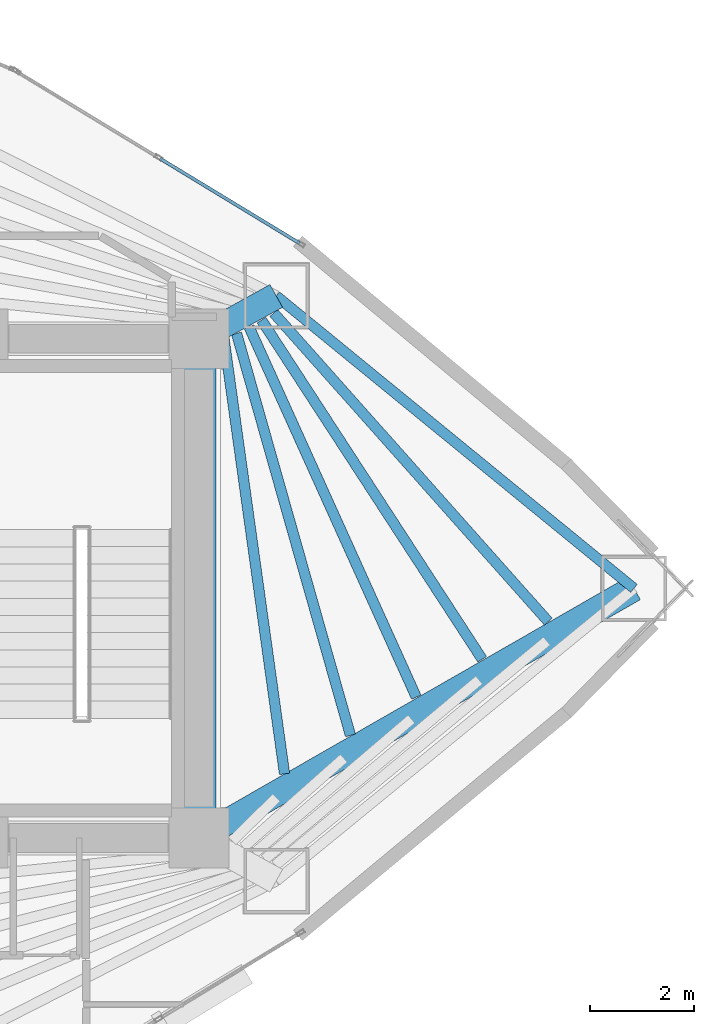
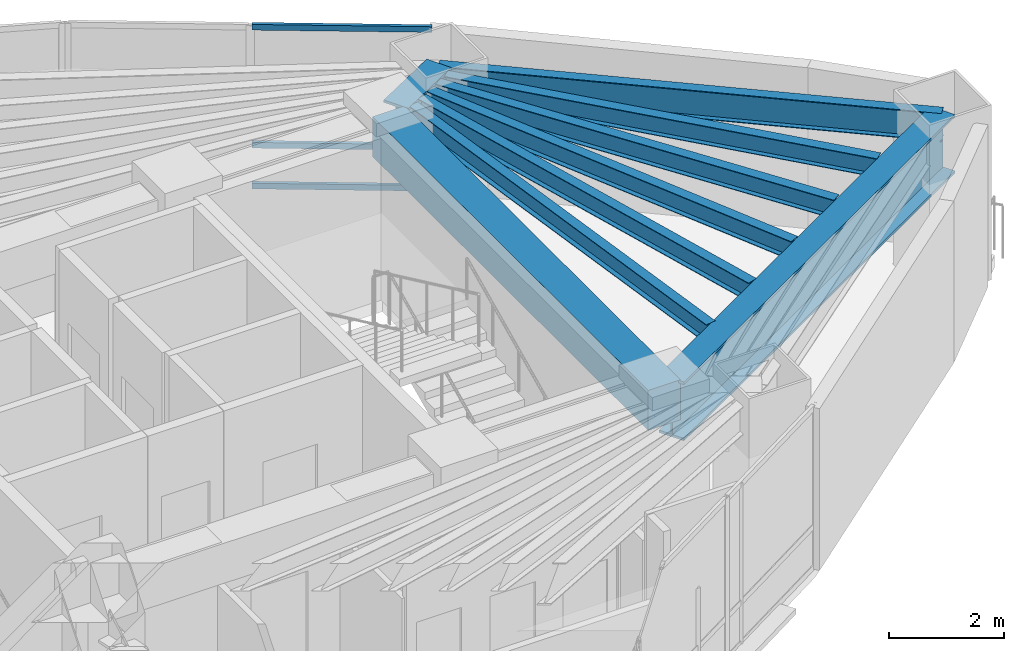
# One storey, part 10 of 17: 9 beams, 3 members, 1 element without a shape of its own.
"""IFC4 building model written with IfcOpenShell, lengths in metres."""

import ifcopenshell
import ifcopenshell.guid

model = None  # the IFC model being written
_history = None  # IfcOwnerHistory: only IFC2X3 demands one
_inside = {}  # id of a spatial element -> (the spatial element, [elements in it])
_under = {}  # id of a project, library or spatial element -> (it, [spatial elements below it])
_declared = {}  # id of a project -> (the project, [libraries it declares])
_typed = {}  # id of a type object -> (the type object, [elements of that type])
_made_of = {}  # id of a material, layer set ... -> (it, [elements and type objects made of it])


def new_model(schema):
    """Start an empty IFC model of exactly this schema.

    Asked for "IFC4X3", IfcOpenShell would pick the latest addendum, in which some entities
    have other attributes; the version numbers below select the first issue.
    IFC2X3 requires an IfcOwnerHistory on every rooted entity: one is made here for all.
    """
    global model, _history
    if schema == "IFC4X3":
        model = ifcopenshell.file(schema_version=(4, 3, 0, 0))
    else:
        model = ifcopenshell.file(schema=schema)
    _inside.clear()
    _under.clear()
    _declared.clear()
    _typed.clear()
    _made_of.clear()
    _history = None
    if model.schema == "IFC2X3":
        org = make("IfcOrganization", Name="unknown")
        user = make(
            "IfcPersonAndOrganization",
            ThePerson=make("IfcPerson", FamilyName="unknown"),
            TheOrganization=org,
        )
        app = make(
            "IfcApplication",
            ApplicationDeveloper=org,
            Version="unknown",
            ApplicationFullName="unknown",
            ApplicationIdentifier="unknown",
        )
        _history = make(
            "IfcOwnerHistory",
            OwningUser=user,
            OwningApplication=app,
            ChangeAction="ADDED",
            CreationDate=0,
        )
    return model


def make(cls, **values):
    """One entity of the class cls with the attributes given. An attribute that is None is left unset."""
    return model.create_entity(
        cls, **{name: value for name, value in values.items() if value is not None}
    )


def rooted(cls, **values):
    """An entity with a GlobalId (a new one), such as an element, a storey or a relation."""
    return make(cls, GlobalId=ifcopenshell.guid.new(), OwnerHistory=_history, **values)


def si_unit(unit_type, name, prefix=None):
    """IfcSIUnit, for example si_unit("LENGTHUNIT", "METRE", prefix="MILLI")."""
    return make("IfcSIUnit", UnitType=unit_type, Prefix=prefix, Name=name)


def assignment(units):
    """IfcUnitAssignment: the units of a project."""
    return None if units is None else make("IfcUnitAssignment", Units=units)


def point(xyz):
    """IfcCartesianPoint."""
    return None if xyz is None else make("IfcCartesianPoint", Coordinates=xyz)


def direction(xyz):
    """IfcDirection."""
    return None if xyz is None else make("IfcDirection", DirectionRatios=xyz)


def frame(location, z_axis=None, x_axis=None):
    """IfcAxis2Placement3D, a coordinate frame: its origin and axes. An axis left out is left unset."""
    return make(
        "IfcAxis2Placement3D",
        Location=point(location),
        Axis=direction(z_axis),
        RefDirection=direction(x_axis),
    )


def frame_2d(location, x_axis=None):
    """IfcAxis2Placement2D, a coordinate frame in the plane: its origin and x axis."""
    return make(
        "IfcAxis2Placement2D", Location=point(location), RefDirection=direction(x_axis)
    )


def origin():
    """The frame at (0, 0, 0) with its axes left unset."""
    return frame((0.0, 0.0, 0.0))


def origin_2d():
    """The frame at (0, 0) in the plane with its x axis left unset."""
    return frame_2d((0.0, 0.0))


def place(relative_to, where):
    """IfcLocalPlacement: puts the frame where relative to a parent placement (None: the world)."""
    return make(
        "IfcLocalPlacement", PlacementRelTo=relative_to, RelativePlacement=where
    )


def context(
    kind, dimensions, precision=None, world=None, true_north=None, identifier=None
):
    """IfcGeometricRepresentationContext, for example the 3D "Model" context."""
    return make(
        "IfcGeometricRepresentationContext",
        ContextIdentifier=identifier,
        ContextType=kind,
        CoordinateSpaceDimension=dimensions,
        Precision=precision,
        WorldCoordinateSystem=world,
        TrueNorth=true_north,
    )


def subcontext(parent, identifier, kind, view, scale=None):
    """IfcGeometricRepresentationSubContext, for example "Body" below "Model"."""
    return make(
        "IfcGeometricRepresentationSubContext",
        ContextIdentifier=identifier,
        ContextType=kind,
        ParentContext=parent,
        TargetScale=scale,
        TargetView=view,
    )


def project(units=None, contexts=None):
    """IfcProject with its units and contexts."""
    return rooted(
        "IfcProject",
        Name="project",
        RepresentationContexts=contexts,
        UnitsInContext=assignment(units),
    )


def spatial(cls, under=None, at=None, **own):
    """A site, building, storey or space (cls), placed at a placement, below another one or the project."""
    s = rooted(cls, ObjectPlacement=at, **own)
    if under is not None:
        _under.setdefault(under.id(), (under, []))[1].append(s)
    return s


def profile(cls, at=None, kind="AREA", **sizes):
    """A parametric profile (cls). Its sizes go by their IFC names, for example OverallWidth=200.0."""
    return make(cls, ProfileType=kind, Position=at, **sizes)


def rectangle(**sizes):
    """IfcRectangleProfileDef."""
    return profile("IfcRectangleProfileDef", **sizes)


def hollow_rectangle(**sizes):
    """IfcRectangleHollowProfileDef."""
    return profile("IfcRectangleHollowProfileDef", **sizes)


def i_section(**sizes):
    """IfcIShapeProfileDef."""
    return profile("IfcIShapeProfileDef", **sizes)


def extrude(swept, where, along, depth):
    """IfcExtrudedAreaSolid: the profile swept, set in the frame where, extruded along a direction by depth."""
    return make(
        "IfcExtrudedAreaSolid",
        SweptArea=swept,
        Position=where,
        ExtrudedDirection=direction(along),
        Depth=depth,
    )


def shape(context_of_items, identifier, shape_type, items):
    """IfcShapeRepresentation: the items that make up one representation, for example the "Body"."""
    return make(
        "IfcShapeRepresentation",
        ContextOfItems=context_of_items,
        RepresentationIdentifier=identifier,
        RepresentationType=shape_type,
        Items=items,
    )


def material(Name=None, Category=None):
    """IfcMaterial."""
    return make("IfcMaterial", Name=Name, Category=Category)


def layer(
    of_material, thickness, ventilated=None, Name=None, Category=None, Priority=None
):
    """IfcMaterialLayer: one layer of a wall or slab, of a material (None: an air gap)."""
    return make(
        "IfcMaterialLayer",
        Material=of_material,
        LayerThickness=thickness,
        IsVentilated=ventilated,
        Name=Name,
        Category=Category,
        Priority=Priority,
    )


def layer_set(layers, Name=None):
    """IfcMaterialLayerSet."""
    return make("IfcMaterialLayerSet", MaterialLayers=layers, LayerSetName=Name)


def material_profile(
    of_material, cross_section, Name=None, Category=None, Priority=None
):
    """IfcMaterialProfile: a cross section and its material."""
    return make(
        "IfcMaterialProfile",
        Name=Name,
        Material=of_material,
        Profile=cross_section,
        Priority=Priority,
        Category=Category,
    )


def profile_set(profiles, Name=None, composite=None):
    """IfcMaterialProfileSet."""
    return make(
        "IfcMaterialProfileSet",
        Name=Name,
        MaterialProfiles=profiles,
        CompositeProfile=composite,
    )


def made_of(thing, what):
    """Note that an element or type object is made of a material, layer set ...; save() writes the relation."""
    if what is not None:
        _made_of.setdefault(what.id(), (what, []))[1].append(thing)
    return thing


def type_object(cls, material=None, **own):
    """A type object (cls), such as IfcWallType, which elements share."""
    return made_of(rooted(cls, **own), material)


def element(
    cls,
    number,
    at=None,
    inside=None,
    cuts=None,
    type_object=None,
    material=None,
    context=None,
    identifier="Body",
    shape_type=None,
    held_by="IfcProductDefinitionShape",
    body=None,
    shapes=None,
    **own,
):
    """One element of the class cls, such as IfcWall. Its Tag is "e" and its number.

    at: its placement. inside: the storey or other place that contains it. cuts: it is an
    opening in that element (IfcRelVoidsElement). A single representation is given by context,
    identifier, shape_type and body (its items); several are given by shapes. held_by: the class
    of the entity that holds the representations. save() writes the other relations.
    """
    e = rooted(cls, Tag="e%d" % number, ObjectPlacement=at, **own)
    if body is not None:
        shapes = [shape(context, identifier, shape_type, body)]
    if shapes is not None:
        e.Representation = make(held_by, Representations=shapes)
    if inside is not None:
        _inside.setdefault(inside.id(), (inside, []))[1].append(e)
    if cuts is not None:
        rooted(
            "IfcRelVoidsElement", RelatingBuildingElement=cuts, RelatedOpeningElement=e
        )
    if type_object is not None:
        _typed.setdefault(type_object.id(), (type_object, []))[1].append(e)
    return made_of(e, material)


def aggregate(whole, parts):
    """IfcRelAggregates: a whole, such as a stair, and the parts it consists of."""
    return rooted("IfcRelAggregates", RelatingObject=whole, RelatedObjects=parts)


def save(model, path):
    """Write the relations noted so far, then the file.

    IfcRelAggregates (storeys below a building ...), IfcRelContainedInSpatialStructure (elements
    in a storey), IfcRelDefinesByType, IfcRelAssociatesMaterial and IfcRelDeclares: one each for
    every whole, place, type object, material and project.
    """
    for whole, parts in _under.values():
        aggregate(whole, parts)
    for where, things in _inside.values():
        rooted(
            "IfcRelContainedInSpatialStructure",
            RelatedElements=things,
            RelatingStructure=where,
        )
    for kind, things in _typed.values():
        rooted("IfcRelDefinesByType", RelatedObjects=things, RelatingType=kind)
    for what, things in _made_of.values():
        rooted("IfcRelAssociatesMaterial", RelatedObjects=things, RelatingMaterial=what)
    for by, libraries in _declared.values():
        rooted("IfcRelDeclares", RelatingContext=by, RelatedDefinitions=libraries)
    model.write(path)


model = new_model("IFC4")

# Units and contexts
model_context = context("Model", 3, precision=1e-05, world=origin(), true_north=direction((0.0, 1.0)))
body_context = subcontext(model_context, "Body", "Model", "MODEL_VIEW")
ifc_project = project(units=[si_unit("LENGTHUNIT", "METRE"), si_unit("AREAUNIT", "SQUARE_METRE"), si_unit("VOLUMEUNIT", "CUBIC_METRE"), si_unit("PLANEANGLEUNIT", "RADIAN"), si_unit("MASSUNIT", "GRAM", prefix="KILO")], contexts=[model_context])

# Site, building, storey
site_placement = place(None, origin())
site = spatial("IfcSite", under=ifc_project, at=site_placement, CompositionType="ELEMENT")
building_placement = place(site_placement, origin())
building = spatial("IfcBuilding", under=site, at=building_placement, Name="Menara Vayukalpa", CompositionType="ELEMENT")
storey_placement = place(building_placement, frame((0.0, 0.0, 100.260009765625)))
storey = spatial("IfcBuildingStorey", under=building, at=storey_placement, Name="L24", CompositionType="ELEMENT", Elevation=100.260009765625)

# Beams
ifc_material_1 = material(Name="Concrete C60/75", Category="concrete")
ifc_material_profile_1 = material_profile(ifc_material_1, rectangle(XDim=0.64990234375, YDim=0.85009765625, at=origin_2d()), Name="RC 650x850")
ifc_profile_set_1 = profile_set([ifc_material_profile_1], Name="Concrete C60/75")
beam_type_1 = type_object("IfcBeamType", Name="BM-CB1", PredefinedType="BEAM", material=ifc_profile_set_1)
beam_1_placement = place(storey_placement, frame((33.39990234375, 17.199951171875, 3.014892578125), z_axis=(0.0, 1.0, 0.0), x_axis=(-1.0, 0.0, 0.0)))
element("IfcBeam", 1, at=beam_1_placement, inside=storey, type_object=beam_type_1, Name="L24 Core Tie Beam CBR8", PredefinedType="BEAM", context=body_context, shape_type="SweptSolid", body=[
    extrude(rectangle(XDim=0.64990234375, YDim=0.85009765625, at=origin_2d()), origin(), (0.0, 0.0, 1.0), 9.60009765625),
])
ifc_material_2 = material(Name="Steel S355", Category="steel")
ifc_material_profile_2 = material_profile(ifc_material_2, i_section(OverallWidth=0.199951171875, OverallDepth=0.39990234375, WebThickness=0.008056640625, FlangeThickness=0.012939453125, at=origin_2d()), Name="WF 400x200x8x13")
ifc_profile_set_2 = profile_set([ifc_material_profile_2], Name="Steel S355")
beam_type_2 = type_object("IfcBeamType", Name="BM-SJ2", PredefinedType="JOIST", material=ifc_profile_set_2)
beam_2_placement = place(storey_placement, frame((35.045654296875, 18.43359375, 3.239990234375), z_axis=(-0.137826561231, 0.99045637916, 0.0), x_axis=(-0.99045637916, -0.137826561231, 0.0)))
element("IfcBeam", 2, at=beam_2_placement, inside=storey, type_object=beam_type_2, Name="L24 Secondary Floor Joist SJ01-1", PredefinedType="JOIST", context=body_context, shape_type="SweptSolid", body=[
    extrude(i_section(OverallWidth=0.199951171875, OverallDepth=0.39990234375, WebThickness=0.008056640625, FlangeThickness=0.012939453125, at=origin_2d()), origin(), (0.0, 0.0, 1.0), 8.42626953125),
])
beam_3_placement = place(storey_placement, frame((36.3125, 19.173828125, 3.239990234375), z_axis=(-0.272608201497, 0.962125131403, 0.0), x_axis=(-0.962125131403, -0.272608201497, 0.0)))
element("IfcBeam", 3, at=beam_3_placement, inside=storey, type_object=beam_type_2, Name="L24 Secondary Floor Joist SJ01-2", PredefinedType="JOIST", context=body_context, shape_type="SweptSolid", body=[
    extrude(i_section(OverallWidth=0.199951171875, OverallDepth=0.39990234375, WebThickness=0.008056640625, FlangeThickness=0.012939453125, at=origin_2d()), origin(), (0.0, 0.0, 1.0), 8.02978515625),
])
beam_4_placement = place(storey_placement, frame((37.578125, 19.908203125, 3.239990234375), z_axis=(-0.41158756009, 0.911370221359, 0.0), x_axis=(-0.911370221359, -0.41158756009, 0.0)))
element("IfcBeam", 4, at=beam_4_placement, inside=storey, type_object=beam_type_2, Name="L24 Secondary Floor Joist SJ01-3", PredefinedType="JOIST", context=body_context, shape_type="SweptSolid", body=[
    extrude(i_section(OverallWidth=0.199951171875, OverallDepth=0.39990234375, WebThickness=0.008056640625, FlangeThickness=0.012939453125, at=origin_2d()), origin(), (0.0, 0.0, 1.0), 7.80908203125),
])
beam_5_placement = place(storey_placement, frame((38.84521484375, 20.63671875, 3.239990234375), z_axis=(-0.545373294464, 0.838193277047, 0.0), x_axis=(-0.838193277047, -0.545373294464, 0.0)))
element("IfcBeam", 5, at=beam_5_placement, inside=storey, type_object=beam_type_2, Name="L24 Secondary Floor Joist SJ01-4", PredefinedType="JOIST", context=body_context, shape_type="SweptSolid", body=[
    extrude(i_section(OverallWidth=0.199951171875, OverallDepth=0.39990234375, WebThickness=0.008056640625, FlangeThickness=0.012939453125, at=origin_2d()), origin(), (0.0, 0.0, 1.0), 7.779052734375),
])
beam_6_placement = place(storey_placement, frame((40.1162109375, 21.360107421875, 3.239990234375), z_axis=(-0.664646195544, 0.747158239431, 0.0), x_axis=(-0.747158239431, -0.664646195544, 0.0)))
element("IfcBeam", 6, at=beam_6_placement, inside=storey, type_object=beam_type_2, Name="L24 Secondary Floor Joist SJ01-5", PredefinedType="JOIST", context=body_context, shape_type="SweptSolid", body=[
    extrude(i_section(OverallWidth=0.199951171875, OverallDepth=0.39990234375, WebThickness=0.008056640625, FlangeThickness=0.012939453125, at=origin_2d()), origin(), (0.0, 0.0, 1.0), 7.941650390625),
])
ifc_material_3 = material(Name="Steel S355", Category="steel")
ifc_material_profile_3 = material_profile(ifc_material_3, i_section(OverallWidth=0.199951171875, OverallDepth=0.60009765625, WebThickness=0.010986328125, FlangeThickness=0.01708984375, at=origin_2d()), Name="WF 600x200x11x17")
ifc_profile_set_3 = profile_set([ifc_material_profile_3], Name="Steel S355")
beam_type_3 = type_object("IfcBeamType", Name="BM-SP1", PredefinedType="SPANDREL", material=ifc_profile_set_3)
beam_7_placement = place(storey_placement, frame((41.761962890625, 22.0, 3.139892578125), z_axis=(-0.774156906301, 0.632993747541, 0.0), x_axis=(-0.632993747541, -0.774156906301, 0.0)))
element("IfcBeam", 7, at=beam_7_placement, inside=storey, type_object=beam_type_3, Name="L24 Perimeter Spandrel Beam SP01", PredefinedType="SPANDREL", context=body_context, shape_type="SweptSolid", body=[
    extrude(i_section(OverallWidth=0.199951171875, OverallDepth=0.60009765625, WebThickness=0.010986328125, FlangeThickness=0.01708984375, at=origin_2d()), origin(), (0.0, 0.0, 1.0), 8.880859375),
])
ifc_material_4 = material(Name="Steel S460", Category="steel")
ifc_material_profile_4 = material_profile(ifc_material_4, i_section(OverallWidth=0.5, OverallDepth=1.25, WebThickness=0.028076171875, FlangeThickness=0.054931640625, at=origin_2d()), Name="WG 1250x500x28x55")
ifc_profile_set_4 = profile_set([ifc_material_profile_4], Name="Steel S460")
beam_type_4 = type_object("IfcBeamType", Name="BM-TG2", PredefinedType="BEAM", material=ifc_profile_set_4)
beam_8_placement = place(storey_placement, frame((33.61669921875, 17.324462890625, 2.81494140625), z_axis=(0.867273673572, 0.497831673488, 0.0), x_axis=(-0.497831673488, 0.867273673572, 0.0)))
element("IfcBeam", 8, at=beam_8_placement, inside=storey, type_object=beam_type_4, Name="L24 Primary Radial Girder RG01", PredefinedType="BEAM", context=body_context, shape_type="SweptSolid", body=[
    extrude(i_section(OverallWidth=0.5, OverallDepth=1.25, WebThickness=0.028076171875, FlangeThickness=0.054931640625, at=origin_2d()), origin(), (0.0, 0.0, 1.0), 9.391845703125),
])
beam_9_placement = place(storey_placement, frame((33.618896484375, 26.9208984375, 2.81494140625), z_axis=(0.875228391676, 0.48370989488, 0.0), x_axis=(-0.48370989488, 0.875228391676, 0.0)))
element("IfcBeam", 9, at=beam_9_placement, inside=storey, type_object=beam_type_4, Name="L24 Primary Radial Girder RG02", PredefinedType="BEAM", context=body_context, shape_type="SweptSolid", body=[
    extrude(i_section(OverallWidth=0.5, OverallDepth=1.25, WebThickness=0.028076171875, FlangeThickness=0.054931640625, at=origin_2d()), origin(), (0.0, 0.0, 1.0), 1.448486328125),
])

# Curtain wall, members
ifc_material_5 = material(Name="Anodised Terracotta Aluminium Alloy 6063-T6", Category="masonry")
ifc_layer = layer(ifc_material_5, 0.14990234375)
ifc_layer_set = layer_set([ifc_layer], Name="Anodised Terracotta Aluminium Alloy 6063-T6")
curtain_wall_type = type_object("IfcCurtainWallType", Name="CW-CW3", PredefinedType="USERDEFINED", material=ifc_layer_set)
curtain_wall_placement = place(storey_placement, origin())
curtain_wall = element("IfcCurtainWall", 10, at=curtain_wall_placement, inside=storey, type_object=curtain_wall_type, Name="L24 Mid Rise Terracotta Ribbon Curtain Wall CW3 04", ObjectType="UNITISED", PredefinedType="USERDEFINED")
ifc_material_6 = material(Name="Anodised Terracotta Aluminium Alloy 6063-T6", Category="masonry")
ifc_material_profile_5 = material_profile(ifc_material_6, hollow_rectangle(XDim=0.06494140625, YDim=0.1201171875, WallThickness=0.00341796875, at=origin_2d()), Name="ALU 65x120x3.5")
ifc_profile_set_5 = profile_set([ifc_material_profile_5], Name="Anodised Terracotta Aluminium Alloy 6063-T6")
member_type = type_object("IfcMemberType", Name="CWT-CW3", PredefinedType="USERDEFINED", material=ifc_profile_set_5)
member_1_placement = place(storey_placement, frame((35.33056640625, 28.6357421875, 0.032470703125), z_axis=(-0.854673871166, 0.519165266506, 0.0), x_axis=(-0.519165266506, -0.854673871166, 0.0)))
member_1 = element("IfcMember", 11, at=member_1_placement, type_object=member_type, Name="CW3 transom 1.1", ObjectType="TRANSOM", PredefinedType="USERDEFINED", context=body_context, shape_type="SweptSolid", body=[
    extrude(hollow_rectangle(XDim=0.06494140625, YDim=0.1201171875, WallThickness=0.00341796875, at=origin_2d()), origin(), (0.0, 0.0, 1.0), 3.1318359375),
])
member_2_placement = place(storey_placement, frame((35.33056640625, 28.6357421875, 0.89990234375), z_axis=(-0.854673871166, 0.519165266506, 0.0), x_axis=(-0.519165266506, -0.854673871166, 0.0)))
member_2 = element("IfcMember", 12, at=member_2_placement, type_object=member_type, Name="CW3 transom 1.2", ObjectType="TRANSOM", PredefinedType="USERDEFINED", context=body_context, shape_type="SweptSolid", body=[
    extrude(hollow_rectangle(XDim=0.06494140625, YDim=0.1201171875, WallThickness=0.00341796875, at=origin_2d()), origin(), (0.0, 0.0, 1.0), 3.1318359375),
])
member_3_placement = place(storey_placement, frame((35.33056640625, 28.6357421875, 3.407470703125), z_axis=(-0.854673871166, 0.519165266506, 0.0), x_axis=(-0.519165266506, -0.854673871166, 0.0)))
member_3 = element("IfcMember", 13, at=member_3_placement, type_object=member_type, Name="CW3 transom 1.3", ObjectType="TRANSOM", PredefinedType="USERDEFINED", context=body_context, shape_type="SweptSolid", body=[
    extrude(hollow_rectangle(XDim=0.06494140625, YDim=0.1201171875, WallThickness=0.00341796875, at=origin_2d()), origin(), (0.0, 0.0, 1.0), 3.1318359375),
])
aggregate(curtain_wall, [member_1, member_2, member_3])

save(model, "model.ifc")
